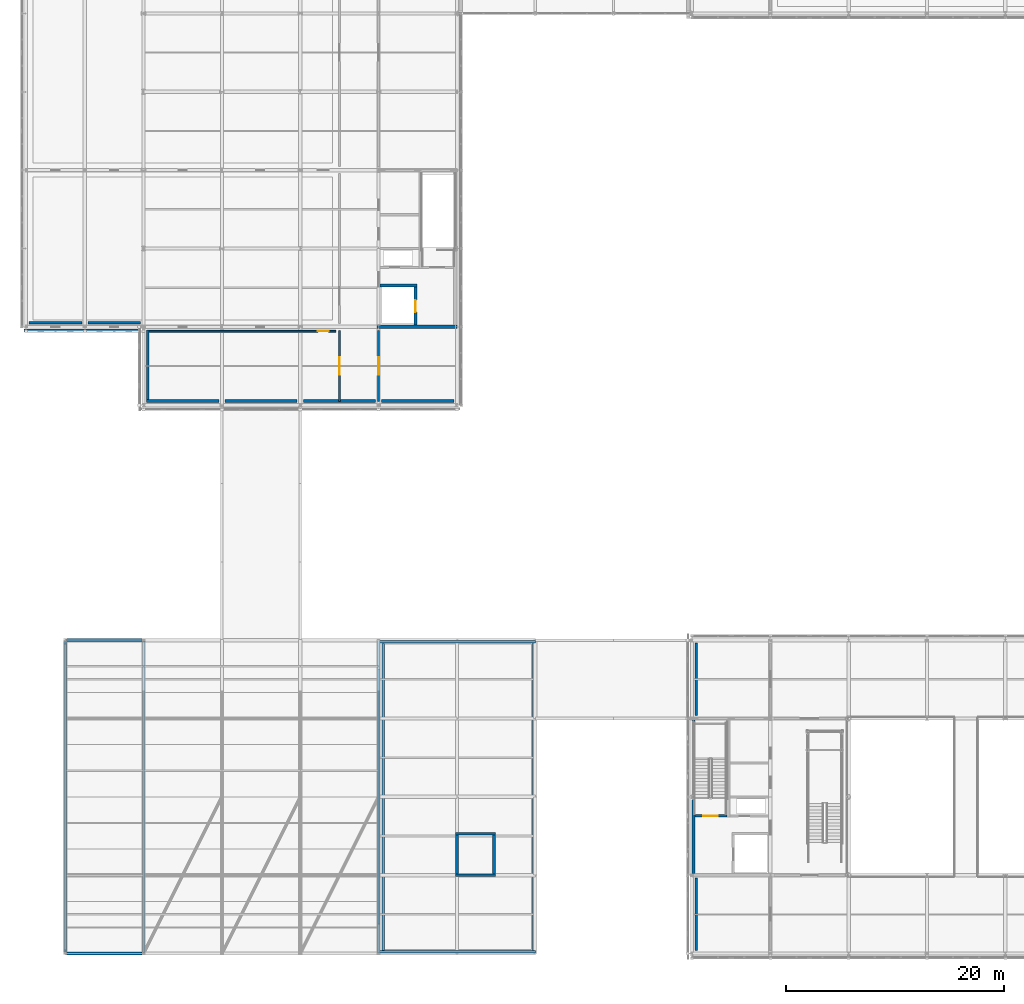
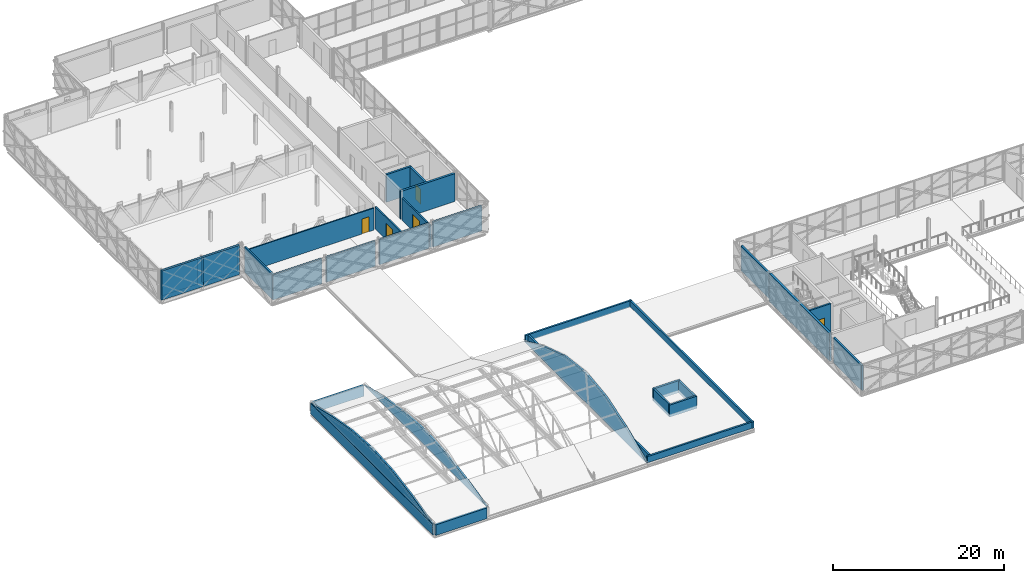
# One storey, part 85 of 103: 33 walls, 5 doors, 5 openings.
"""IFC4 building model written with IfcOpenShell, lengths in metres."""

import ifcopenshell
import ifcopenshell.guid

model = None  # the IFC model being written
_history = None  # IfcOwnerHistory: only IFC2X3 demands one
_inside = {}  # id of a spatial element -> (the spatial element, [elements in it])
_under = {}  # id of a project, library or spatial element -> (it, [spatial elements below it])
_declared = {}  # id of a project -> (the project, [libraries it declares])
_typed = {}  # id of a type object -> (the type object, [elements of that type])
_made_of = {}  # id of a material, layer set ... -> (it, [elements and type objects made of it])


def new_model(schema):
    """Start an empty IFC model of exactly this schema.

    Asked for "IFC4X3", IfcOpenShell would pick the latest addendum, in which some entities
    have other attributes; the version numbers below select the first issue.
    IFC2X3 requires an IfcOwnerHistory on every rooted entity: one is made here for all.
    """
    global model, _history
    if schema == "IFC4X3":
        model = ifcopenshell.file(schema_version=(4, 3, 0, 0))
    else:
        model = ifcopenshell.file(schema=schema)
    _inside.clear()
    _under.clear()
    _declared.clear()
    _typed.clear()
    _made_of.clear()
    _history = None
    if model.schema == "IFC2X3":
        org = make("IfcOrganization", Name="unknown")
        user = make(
            "IfcPersonAndOrganization",
            ThePerson=make("IfcPerson", FamilyName="unknown"),
            TheOrganization=org,
        )
        app = make(
            "IfcApplication",
            ApplicationDeveloper=org,
            Version="unknown",
            ApplicationFullName="unknown",
            ApplicationIdentifier="unknown",
        )
        _history = make(
            "IfcOwnerHistory",
            OwningUser=user,
            OwningApplication=app,
            ChangeAction="ADDED",
            CreationDate=0,
        )
    return model


def make(cls, **values):
    """One entity of the class cls with the attributes given. An attribute that is None is left unset."""
    return model.create_entity(
        cls, **{name: value for name, value in values.items() if value is not None}
    )


def rooted(cls, **values):
    """An entity with a GlobalId (a new one), such as an element, a storey or a relation."""
    return make(cls, GlobalId=ifcopenshell.guid.new(), OwnerHistory=_history, **values)


def si_unit(unit_type, name, prefix=None):
    """IfcSIUnit, for example si_unit("LENGTHUNIT", "METRE", prefix="MILLI")."""
    return make("IfcSIUnit", UnitType=unit_type, Prefix=prefix, Name=name)


def assignment(units):
    """IfcUnitAssignment: the units of a project."""
    return None if units is None else make("IfcUnitAssignment", Units=units)


def point(xyz):
    """IfcCartesianPoint."""
    return None if xyz is None else make("IfcCartesianPoint", Coordinates=xyz)


def direction(xyz):
    """IfcDirection."""
    return None if xyz is None else make("IfcDirection", DirectionRatios=xyz)


def frame(location, z_axis=None, x_axis=None):
    """IfcAxis2Placement3D, a coordinate frame: its origin and axes. An axis left out is left unset."""
    return make(
        "IfcAxis2Placement3D",
        Location=point(location),
        Axis=direction(z_axis),
        RefDirection=direction(x_axis),
    )


def frame_2d(location, x_axis=None):
    """IfcAxis2Placement2D, a coordinate frame in the plane: its origin and x axis."""
    return make(
        "IfcAxis2Placement2D", Location=point(location), RefDirection=direction(x_axis)
    )


def origin():
    """The frame at (0, 0, 0) with its axes left unset."""
    return frame((0.0, 0.0, 0.0))


def place(relative_to, where):
    """IfcLocalPlacement: puts the frame where relative to a parent placement (None: the world)."""
    return make(
        "IfcLocalPlacement", PlacementRelTo=relative_to, RelativePlacement=where
    )


def context(
    kind, dimensions, precision=None, world=None, true_north=None, identifier=None
):
    """IfcGeometricRepresentationContext, for example the 3D "Model" context."""
    return make(
        "IfcGeometricRepresentationContext",
        ContextIdentifier=identifier,
        ContextType=kind,
        CoordinateSpaceDimension=dimensions,
        Precision=precision,
        WorldCoordinateSystem=world,
        TrueNorth=true_north,
    )


def subcontext(parent, identifier, kind, view, scale=None):
    """IfcGeometricRepresentationSubContext, for example "Body" below "Model"."""
    return make(
        "IfcGeometricRepresentationSubContext",
        ContextIdentifier=identifier,
        ContextType=kind,
        ParentContext=parent,
        TargetScale=scale,
        TargetView=view,
    )


def project(units=None, contexts=None):
    """IfcProject with its units and contexts."""
    return rooted(
        "IfcProject",
        Name="project",
        RepresentationContexts=contexts,
        UnitsInContext=assignment(units),
    )


def spatial(cls, under=None, at=None, **own):
    """A site, building, storey or space (cls), placed at a placement, below another one or the project."""
    s = rooted(cls, ObjectPlacement=at, **own)
    if under is not None:
        _under.setdefault(under.id(), (under, []))[1].append(s)
    return s


def polyline(points):
    """IfcPolyline through the points."""
    return make("IfcPolyline", Points=[point(p) for p in points])


def profile(cls, at=None, kind="AREA", **sizes):
    """A parametric profile (cls). Its sizes go by their IFC names, for example OverallWidth=200.0."""
    return make(cls, ProfileType=kind, Position=at, **sizes)


def rectangle(**sizes):
    """IfcRectangleProfileDef."""
    return profile("IfcRectangleProfileDef", **sizes)


def outline(outer, holes=None, kind="AREA"):
    """IfcArbitraryClosedProfileDef: a profile drawn as a closed curve; with holes, ...WithVoids."""
    if holes is None:
        return make("IfcArbitraryClosedProfileDef", ProfileType=kind, OuterCurve=outer)
    return make(
        "IfcArbitraryProfileDefWithVoids",
        ProfileType=kind,
        OuterCurve=outer,
        InnerCurves=holes,
    )


def extrude(swept, where, along, depth):
    """IfcExtrudedAreaSolid: the profile swept, set in the frame where, extruded along a direction by depth."""
    return make(
        "IfcExtrudedAreaSolid",
        SweptArea=swept,
        Position=where,
        ExtrudedDirection=direction(along),
        Depth=depth,
    )


def shape(context_of_items, identifier, shape_type, items):
    """IfcShapeRepresentation: the items that make up one representation, for example the "Body"."""
    return make(
        "IfcShapeRepresentation",
        ContextOfItems=context_of_items,
        RepresentationIdentifier=identifier,
        RepresentationType=shape_type,
        Items=items,
    )


def material(Name=None, Category=None):
    """IfcMaterial."""
    return make("IfcMaterial", Name=Name, Category=Category)


def layer(
    of_material, thickness, ventilated=None, Name=None, Category=None, Priority=None
):
    """IfcMaterialLayer: one layer of a wall or slab, of a material (None: an air gap)."""
    return make(
        "IfcMaterialLayer",
        Material=of_material,
        LayerThickness=thickness,
        IsVentilated=ventilated,
        Name=Name,
        Category=Category,
        Priority=Priority,
    )


def layer_set(layers, Name=None):
    """IfcMaterialLayerSet."""
    return make("IfcMaterialLayerSet", MaterialLayers=layers, LayerSetName=Name)


def made_of(thing, what):
    """Note that an element or type object is made of a material, layer set ...; save() writes the relation."""
    if what is not None:
        _made_of.setdefault(what.id(), (what, []))[1].append(thing)
    return thing


def type_object(cls, material=None, **own):
    """A type object (cls), such as IfcWallType, which elements share."""
    return made_of(rooted(cls, **own), material)


def element(
    cls,
    number,
    at=None,
    inside=None,
    cuts=None,
    type_object=None,
    material=None,
    context=None,
    identifier="Body",
    shape_type=None,
    held_by="IfcProductDefinitionShape",
    body=None,
    shapes=None,
    **own,
):
    """One element of the class cls, such as IfcWall. Its Tag is "e" and its number.

    at: its placement. inside: the storey or other place that contains it. cuts: it is an
    opening in that element (IfcRelVoidsElement). A single representation is given by context,
    identifier, shape_type and body (its items); several are given by shapes. held_by: the class
    of the entity that holds the representations. save() writes the other relations.
    """
    e = rooted(cls, Tag="e%d" % number, ObjectPlacement=at, **own)
    if body is not None:
        shapes = [shape(context, identifier, shape_type, body)]
    if shapes is not None:
        e.Representation = make(held_by, Representations=shapes)
    if inside is not None:
        _inside.setdefault(inside.id(), (inside, []))[1].append(e)
    if cuts is not None:
        rooted(
            "IfcRelVoidsElement", RelatingBuildingElement=cuts, RelatedOpeningElement=e
        )
    if type_object is not None:
        _typed.setdefault(type_object.id(), (type_object, []))[1].append(e)
    return made_of(e, material)


def fill(opening, filler):
    """IfcRelFillsElement: the door or window that sits in an opening."""
    return rooted(
        "IfcRelFillsElement",
        RelatingOpeningElement=opening,
        RelatedBuildingElement=filler,
    )


def aggregate(whole, parts):
    """IfcRelAggregates: a whole, such as a stair, and the parts it consists of."""
    return rooted("IfcRelAggregates", RelatingObject=whole, RelatedObjects=parts)


def save(model, path):
    """Write the relations noted so far, then the file.

    IfcRelAggregates (storeys below a building ...), IfcRelContainedInSpatialStructure (elements
    in a storey), IfcRelDefinesByType, IfcRelAssociatesMaterial and IfcRelDeclares: one each for
    every whole, place, type object, material and project.
    """
    for whole, parts in _under.values():
        aggregate(whole, parts)
    for where, things in _inside.values():
        rooted(
            "IfcRelContainedInSpatialStructure",
            RelatedElements=things,
            RelatingStructure=where,
        )
    for kind, things in _typed.values():
        rooted("IfcRelDefinesByType", RelatedObjects=things, RelatingType=kind)
    for what, things in _made_of.values():
        rooted("IfcRelAssociatesMaterial", RelatedObjects=things, RelatingMaterial=what)
    for by, libraries in _declared.values():
        rooted("IfcRelDeclares", RelatingContext=by, RelatedDefinitions=libraries)
    model.write(path)


model = new_model("IFC4")

# Units and contexts
model_context = context("Model", 3, precision=1e-05, world=origin(), true_north=direction((0.0, 1.0)))
body_context = subcontext(model_context, "Body", "Model", "MODEL_VIEW")
ifc_project = project(units=[si_unit("LENGTHUNIT", "METRE"), si_unit("AREAUNIT", "SQUARE_METRE"), si_unit("VOLUMEUNIT", "CUBIC_METRE"), si_unit("PLANEANGLEUNIT", "RADIAN"), si_unit("MASSUNIT", "GRAM", prefix="KILO")], contexts=[model_context])

# Site, building, storey
site_placement = place(None, origin())
site = spatial("IfcSite", under=ifc_project, at=site_placement, CompositionType="ELEMENT")
building_placement = place(site_placement, origin())
building = spatial("IfcBuilding", under=site, at=building_placement, Name="Zlatovets Crest Museum", CompositionType="ELEMENT")
storey_placement = place(building_placement, frame((0.0, 0.0, 12.89990234375)))
storey = spatial("IfcBuildingStorey", under=building, at=storey_placement, Name="L03", CompositionType="ELEMENT", Elevation=12.89990234375)

# Walls
ifc_material_1 = material(Name="Concrete C35/45", Category="concrete")
ifc_layer_1 = layer(ifc_material_1, 0.300048828125)
ifc_layer_set_1 = layer_set([ifc_layer_1], Name="Concrete C35/45")
wall_type_1 = type_object("IfcWallType", Name="CoreWall_SW01", PredefinedType="SHEAR", material=ifc_layer_set_1)
wall_1_placement = place(storey_placement, frame((57.75, 7.35009765625, 0.0), z_axis=(0.0, 0.0, 1.0), x_axis=(0.0, 1.0, 0.0)))
element("IfcWall", 1, at=wall_1_placement, inside=storey, type_object=wall_type_1, Name="Core C2 L03 Perimeter Shear Wall", PredefinedType="SHEAR", context=body_context, shape_type="SweptSolid", body=[
    extrude(rectangle(XDim=14.099853515625, YDim=0.300048828125, at=frame_2d((7.0498046875, 0.0))), origin(), (0.0, 0.0, 1.0), 3.960205078125),
])
wall_2_placement = place(storey_placement, frame((28.64990234375, 57.60009765625, 0.0), z_axis=(0.0, 0.0, 1.0), x_axis=(1.0, 0.0, 0.0)))
element("IfcWall", 2, at=wall_2_placement, inside=storey, type_object=wall_type_1, Name="Core C4 L03 South Shear Wall", PredefinedType="SHEAR", context=body_context, shape_type="SweptSolid", body=[
    extrude(rectangle(XDim=7.35009765625, YDim=0.300048828125, at=frame_2d((3.675048828125, 0.0))), origin(), (0.0, 0.0, 1.0), 3.960205078125),
])

# Wall, opening, door
ifc_layer_2 = layer(ifc_material_1, 0.25)
ifc_layer_set_2 = layer_set([ifc_layer_2], Name="Concrete C35/45")
wall_type_2 = type_object("IfcWallType", Name="CoreWall_SW02", PredefinedType="SHEAR", material=ifc_layer_set_2)
wall_3_placement = place(storey_placement, frame((57.89990234375, 12.64990234375, 0.0), z_axis=(0.0, 0.0, 1.0), x_axis=(1.0, 0.0, 0.0)))
wall_3 = element("IfcWall", 3, at=wall_3_placement, inside=storey, type_object=wall_type_2, Name="Core C2 L03 Stairwell Fire Wall", PredefinedType="SHEAR", context=body_context, shape_type="SweptSolid", body=[
    extrude(rectangle(XDim=2.900146484375, YDim=0.219970703125, at=frame_2d((1.4501953125, 0.0))), origin(), (0.0, 0.0, 1.0), 3.960205078125),
])
opening_1_placement = place(wall_3_placement, frame((0.75, 0.0, 0.0)))
opening_1 = element("IfcOpeningElement", 4, at=opening_1_placement, cuts=wall_3, Name="Opening FD-01", PredefinedType="OPENING", context=body_context, shape_type="SweptSolid", body=[
    extrude(rectangle(XDim=1.300048828125, YDim=2.199951171875, at=frame_2d((0.64990234375, 1.10009765625))), frame((0.0, 0.1201171875, 0.0), z_axis=(0.0, -1.0, 0.0), x_axis=(1.0, 0.0, 0.0)), (0.0, 0.0, 1.0), 0.239990234375),
])
ifc_material_2 = material(Name="Smoke-sealed steel fire door", Category="steel")
door_type_1 = type_object("IfcDoorType", Name="IntDoor_FD-01", OperationType="NOTDEFINED", PredefinedType="DOOR", material=ifc_material_2)
door_1_placement = place(opening_1_placement, origin())
door_1 = element("IfcDoor", 5, at=door_1_placement, inside=storey, type_object=door_type_1, Name="SDOOR-ST2-L03 Stair ST2 L03 Fire Door", OperationType="SINGLE_SWING_LEFT", OverallHeight=2.199951171875, OverallWidth=1.300048828125, PredefinedType="DOOR", context=body_context, shape_type="SweptSolid", body=[
    extrude(rectangle(XDim=1.300048828125, YDim=2.199951171875, at=frame_2d((0.64990234375, 1.10009765625))), frame((0.0, 0.02490234375, 0.0), z_axis=(0.0, -1.0, 0.0), x_axis=(1.0, 0.0, 0.0)), (0.0, 0.0, 1.0), 0.050048828125),
])
fill(opening_1, door_1)

# Walls
wall_4_placement = place(storey_placement, frame((35.875, 7.199951171875, -0.219970703125), z_axis=(0.0, 0.0, 1.0), x_axis=(1.0, 0.0, 0.0)))
element("IfcWall", 6, at=wall_4_placement, inside=storey, type_object=wall_type_2, Name="Lift PL1 Overrun Wall S", PredefinedType="SHEAR", context=body_context, shape_type="SweptSolid", body=[
    extrude(rectangle(XDim=3.64990234375, YDim=0.25, at=frame_2d((1.824951171875, 0.0))), origin(), (0.0, 0.0, 1.0), 1.719970703125),
])
wall_5_placement = place(storey_placement, frame((39.39990234375, 7.324951171875, -0.219970703125), z_axis=(0.0, 0.0, 1.0), x_axis=(0.0, 1.0, 0.0)))
element("IfcWall", 7, at=wall_5_placement, inside=storey, type_object=wall_type_2, Name="Lift PL1 Overrun Wall E", PredefinedType="SHEAR", context=body_context, shape_type="SweptSolid", body=[
    extrude(rectangle(XDim=3.550048828125, YDim=0.25, at=frame_2d((1.77490234375, 0.0))), origin(), (0.0, 0.0, 1.0), 1.719970703125),
])
wall_6_placement = place(storey_placement, frame((39.52490234375, 11.0, -0.219970703125), z_axis=(0.0, 0.0, 1.0), x_axis=(-1.0, 0.0, 0.0)))
element("IfcWall", 8, at=wall_6_placement, inside=storey, type_object=wall_type_2, Name="Lift PL1 Overrun Wall N", PredefinedType="SHEAR", context=body_context, shape_type="SweptSolid", body=[
    extrude(rectangle(XDim=3.64990234375, YDim=0.25, at=frame_2d((1.824951171875, 0.0))), origin(), (0.0, 0.0, 1.0), 1.719970703125),
])
wall_7_placement = place(storey_placement, frame((36.0, 10.875, -0.219970703125), z_axis=(0.0, 0.0, 1.0), x_axis=(0.0, -1.0, 0.0)))
element("IfcWall", 9, at=wall_7_placement, inside=storey, type_object=wall_type_2, Name="Lift PL1 Overrun Wall W", PredefinedType="SHEAR", context=body_context, shape_type="SweptSolid", body=[
    extrude(rectangle(XDim=3.550048828125, YDim=0.25, at=frame_2d((1.77490234375, 0.0))), origin(), (0.0, 0.0, 1.0), 1.719970703125),
])

# Wall, opening, door
wall_8_placement = place(storey_placement, frame((32.199951171875, 57.75, 0.0), z_axis=(0.0, 0.0, 1.0), x_axis=(0.0, 1.0, 0.0)))
wall_8 = element("IfcWall", 10, at=wall_8_placement, inside=storey, type_object=wall_type_2, Name="Core C4 L03 Lift Shaft Wall", PredefinedType="SHEAR", context=body_context, shape_type="SweptSolid", body=[
    extrude(rectangle(XDim=3.52490234375, YDim=0.25, at=frame_2d((1.762451171875, 0.0))), origin(), (0.0, 0.0, 1.0), 3.960205078125),
])
opening_2_placement = place(wall_8_placement, frame((1.199951171875, 0.0, 0.0)))
opening_2 = element("IfcOpeningElement", 11, at=opening_2_placement, cuts=wall_8, Name="Opening LD-01", PredefinedType="OPENING", context=body_context, shape_type="SweptSolid", body=[
    extrude(rectangle(XDim=1.10009765625, YDim=2.14990234375, at=frame_2d((0.550048828125, 1.074951171875))), frame((0.0, 0.135009765625, 0.0), z_axis=(0.0, -1.0, 0.0), x_axis=(1.0, 0.0, 0.0)), (0.0, 0.0, 1.0), 0.27001953125),
])
ifc_material_3 = material(Name="Stainless-bronze sliding lift landing door")
door_type_2 = type_object("IfcDoorType", Name="IntDoor_LD-01", OperationType="SLIDING_TO_LEFT", PredefinedType="DOOR", material=ifc_material_3)
door_2_placement = place(opening_2_placement, origin())
door_2 = element("IfcDoor", 12, at=door_2_placement, inside=storey, type_object=door_type_2, Name="LDOOR-PL2-L03 Lift PL2 L03 Sliding Landing Door", OperationType="SLIDING_TO_LEFT", OverallHeight=2.14990234375, OverallWidth=1.10009765625, PredefinedType="DOOR", context=body_context, shape_type="SweptSolid", body=[
    extrude(rectangle(XDim=1.10009765625, YDim=2.14990234375, at=frame_2d((0.550048828125, 1.074951171875))), frame((0.0, 0.02490234375, 0.0), z_axis=(0.0, -1.0, 0.0), x_axis=(1.0, 0.0, 0.0)), (0.0, 0.0, 1.0), 0.050048828125),
])
fill(opening_2, door_2)

# Walls
wall_9_placement = place(storey_placement, frame((28.949951171875, 61.39990234375, 0.0), z_axis=(0.0, 0.0, 1.0), x_axis=(1.0, 0.0, 0.0)))
element("IfcWall", 13, at=wall_9_placement, inside=storey, type_object=wall_type_2, Name="Core C4 L03 Lift Shaft North Shear Wall", PredefinedType="SHEAR", context=body_context, shape_type="SweptSolid", body=[
    extrude(rectangle(XDim=3.375, YDim=0.25, at=frame_2d((1.6875, 0.0))), origin(), (0.0, 0.0, 1.0), 3.960205078125),
])
ifc_material_4 = material(Name="Insulated gallery conservation liner wall", Category="concrete")
ifc_layer_3 = layer(ifc_material_4, 0.300048828125)
ifc_layer_set_3 = layer_set([ifc_layer_3], Name="Insulated gallery conservation liner wall")
wall_type_3 = type_object("IfcWallType", Name="ExtWall_EW-02", PredefinedType="STANDARD", material=ifc_layer_set_3)
wall_10_placement = place(storey_placement, frame((57.97998046875, 28.52001953125, 0.0), z_axis=(0.0, 0.0, 1.0), x_axis=(0.0, -1.0, 0.0)))
element("IfcWall", 14, at=wall_10_placement, inside=storey, type_object=wall_type_3, Name="V2 L03 Interior Conservation Gallery Liner Wall", PredefinedType="STANDARD", context=body_context, shape_type="SweptSolid", body=[
    extrude(rectangle(XDim=6.64013671875, YDim=0.239990234375, at=frame_2d((3.320068359375, 0.0))), origin(), (0.0, 0.0, 1.0), 3.56005859375),
])
wall_11_placement = place(storey_placement, frame((57.97998046875, 6.919921875, 0.0), z_axis=(0.0, 0.0, 1.0), x_axis=(0.0, -1.0, 0.0)))
element("IfcWall", 15, at=wall_11_placement, inside=storey, type_object=wall_type_3, Name="V2 L03 Interior Conservation Gallery Liner Wall", PredefinedType="STANDARD", context=body_context, shape_type="SweptSolid", body=[
    extrude(rectangle(XDim=6.639892578125, YDim=0.239990234375, at=frame_2d((3.31982421875, 0.0))), origin(), (0.0, 0.0, 1.0), 3.56005859375),
])
for number, where, z_axis, x_axis, name in (
    (16, (7.47998046875, 50.780029296875, 0.0), (0.0, 0.0, 1.0), (1.0, 0.0, 0.0), "V4 L03 Interior Conservation Gallery Liner Wall"),
    (17, (14.679931640625, 50.780029296875, 0.0), (0.0, 0.0, 1.0), (1.0, 0.0, 0.0), "V4 L03 Interior Conservation Gallery Liner Wall"),
    (18, (21.8798828125, 50.780029296875, 0.0), (0.0, 0.0, 1.0), (1.0, 0.0, 0.0), "V4 L03 Interior Conservation Gallery Liner Wall"),
):
    element("IfcWall", number, at=place(storey_placement, frame(where, z_axis=z_axis, x_axis=x_axis)), inside=storey, type_object=wall_type_3, Name=name, PredefinedType="STANDARD", context=body_context, shape_type="SweptSolid", body=[
        extrude(rectangle(XDim=6.64013671875, YDim=0.239990234375, at=frame_2d((3.320068359375, 0.0))), origin(), (0.0, 0.0, 1.0), 3.580078125),
    ])
wall_12_placement = place(storey_placement, frame((29.080078125, 50.780029296875, 0.0), z_axis=(0.0, 0.0, 1.0), x_axis=(1.0, 0.0, 0.0)))
element("IfcWall", 19, at=wall_12_placement, inside=storey, type_object=wall_type_3, Name="V4 L03 Interior Conservation Gallery Liner Wall", PredefinedType="STANDARD", context=body_context, shape_type="SweptSolid", body=[
    extrude(rectangle(XDim=6.639892578125, YDim=0.239990234375, at=frame_2d((3.31982421875, 0.0))), origin(), (0.0, 0.0, 1.0), 3.580078125),
])
wall_13_placement = place(storey_placement, frame((-3.320068359375, 57.97998046875, 0.0), z_axis=(0.0, 0.0, 1.0), x_axis=(1.0, 0.0, 0.0)))
element("IfcWall", 20, at=wall_13_placement, inside=storey, type_object=wall_type_3, Name="V4 L03 Interior Conservation Gallery Liner Wall", PredefinedType="STANDARD", context=body_context, shape_type="SweptSolid", body=[
    extrude(rectangle(XDim=4.840087890625, YDim=0.239990234375, at=frame_2d((2.419921875, 0.0))), origin(), (0.0, 0.0, 1.0), 3.580078125),
])
wall_14_placement = place(storey_placement, frame((2.080078125, 57.97998046875, 0.0), z_axis=(0.0, 0.0, 1.0), x_axis=(1.0, 0.0, 0.0)))
element("IfcWall", 21, at=wall_14_placement, inside=storey, type_object=wall_type_3, Name="V4 L03 Interior Conservation Gallery Liner Wall", PredefinedType="STANDARD", context=body_context, shape_type="SweptSolid", body=[
    extrude(rectangle(XDim=4.83984375, YDim=0.239990234375, at=frame_2d((2.419921875, 0.0))), origin(), (0.0, 0.0, 1.0), 3.580078125),
])
wall_15_placement = place(storey_placement, frame((7.580078125, 57.320068359375, 0.0), z_axis=(0.0, 0.0, 1.0), x_axis=(0.0, -1.0, 0.0)))
element("IfcWall", 22, at=wall_15_placement, inside=storey, type_object=wall_type_3, Name="V4 L03 Interior Conservation Gallery Liner Wall", PredefinedType="STANDARD", context=body_context, shape_type="SweptSolid", body=[
    extrude(rectangle(XDim=6.64013671875, YDim=0.239990234375, at=frame_2d((3.320068359375, 0.0))), origin(), (0.0, 0.0, 1.0), 3.580078125),
])
ifc_material_5 = material(Name="Polychrome majolica ceramic spandrel wall", Category="masonry")
ifc_layer_4 = layer(ifc_material_5, 0.280029296875)
ifc_layer_set_4 = layer_set([ifc_layer_4], Name="Polychrome majolica ceramic spandrel wall")
wall_type_4 = type_object("IfcWallType", Name="ExtWall_EW-03", PredefinedType="STANDARD", material=ifc_layer_set_4)
wall_16_placement = place(storey_placement, frame((-3.800048828125, 57.260009765625, 0.0), z_axis=(0.0, 0.0, 1.0), x_axis=(1.0, 0.0, 0.0)))
element("IfcWall", 23, at=wall_16_placement, inside=storey, type_object=wall_type_4, Name="V4 L03 Transfer Truss Majolica Spandrel Wall", PredefinedType="STANDARD", context=body_context, shape_type="SweptSolid", body=[
    extrude(rectangle(XDim=5.60009765625, YDim=0.280029296875, at=frame_2d((2.800048828125, 0.0))), origin(), (0.0, 0.0, 1.0), 4.2001953125),
])
wall_17_placement = place(storey_placement, frame((1.800048828125, 57.260009765625, 0.0), z_axis=(0.0, 0.0, 1.0), x_axis=(1.0, 0.0, 0.0)))
element("IfcWall", 24, at=wall_17_placement, inside=storey, type_object=wall_type_4, Name="V4 L03 Transfer Truss Majolica Spandrel Wall", PredefinedType="STANDARD", context=body_context, shape_type="SweptSolid", body=[
    extrude(rectangle(XDim=4.919921875, YDim=0.280029296875, at=frame_2d((2.4599609375, 0.0))), origin(), (0.0, 0.0, 1.0), 4.2001953125),
])
for number, where, z_axis, x_axis, name in (
    (25, (0.131103515625, 0.0, -0.219970703125), (0.0, 0.0, 1.0), (1.0, 0.0, 0.0), "Auditorium Stage Fly-Loft Wall S"),
    (26, (7.069091796875, 28.800048828125, -0.219970703125), (0.0, 0.0, 1.0), (-1.0, 0.0, 0.0), "Auditorium Stage Fly-Loft Wall N"),
):
    element("IfcWall", number, at=place(storey_placement, frame(where, z_axis=z_axis, x_axis=x_axis)), inside=storey, type_object=wall_type_4, Name=name, PredefinedType="STANDARD", context=body_context, shape_type="SweptSolid", body=[
        extrude(rectangle(XDim=6.93798828125, YDim=0.280029296875, at=frame_2d((3.468994140625, 0.0))), origin(), (0.0, 0.0, 1.0), 1.52001953125),
    ])
wall_18_placement = place(storey_placement, frame((0.0, 28.6689453125, -0.219970703125), z_axis=(0.0, 0.0, 1.0), x_axis=(0.0, -1.0, 0.0)))
element("IfcWall", 27, at=wall_18_placement, inside=storey, type_object=wall_type_4, Name="Auditorium Stage Fly-Loft Wall W", PredefinedType="STANDARD", context=body_context, shape_type="SweptSolid", body=[
    extrude(rectangle(XDim=28.537841796875, YDim=0.280029296875, at=frame_2d((14.26904296875, 0.0))), origin(), (0.0, 0.0, 1.0), 1.52001953125),
])
ifc_material_6 = material(Name="Copper-zinc insulated clerestory and vault tympanum wall", Category="steel")
ifc_layer_5 = layer(ifc_material_6, 0.260009765625)
ifc_layer_set_5 = layer_set([ifc_layer_5], Name="Copper-zinc insulated clerestory and vault tympanum wall")
wall_type_5 = type_object("IfcWallType", Name="ExtWall_EW-04", PredefinedType="STANDARD", material=ifc_layer_set_5)
wall_19_placement = place(storey_placement, frame((28.800048828125, 0.0, 0.02001953125), z_axis=(0.0, 0.0, 1.0), x_axis=(0.0, 1.0, 0.0)))
element("IfcWall", 28, at=wall_19_placement, inside=storey, type_object=wall_type_5, Name="V3AUD-E Art Nouveau Arched Vault Tympanum Wall", PredefinedType="STANDARD", context=body_context, shape_type="SweptSolid", body=[
    extrude(outline(polyline([(0.0, 0.0), (28.800048828125, 0.0), (28.800048828125, -0.02001953125), (24.0, 2.10498046875), (19.199951171875, 3.66064453125), (14.39990234375, 4.22998046875), (9.60009765625, 3.66064453125), (4.800048828125, 2.10498046875), (0.0, -0.02001953125), (0.0, 0.0)])), frame((0.0, 0.1201171875, 0.0), z_axis=(0.0, -1.0, 0.0), x_axis=(1.0, 0.0, 0.0)), (0.0, 0.0, 1.0), 0.239990234375),
])
wall_20_placement = place(storey_placement, frame((0.0, 0.25, 1.320068359375), z_axis=(0.0, 0.0, 1.0), x_axis=(0.0, 1.0, 0.0)))
element("IfcWall", 29, at=wall_20_placement, inside=storey, type_object=wall_type_5, Name="V3STG-W Art Nouveau Arched Vault Tympanum Wall", PredefinedType="STANDARD", context=body_context, shape_type="SweptSolid", body=[
    extrude(outline(polyline([(0.0, 0.0), (28.300048828125, 0.0), (28.300048828125, -0.02001953125), (23.583251953125, 1.080078125), (18.86669921875, 1.88525390625), (14.14990234375, 2.179931640625), (9.433349609375, 1.88525390625), (4.716796875, 1.080078125), (0.0, -0.02001953125), (0.0, 0.0)])), frame((0.0, 0.1201171875, 0.0), z_axis=(0.0, -1.0, 0.0), x_axis=(1.0, 0.0, 0.0)), (0.0, 0.0, 1.0), 0.239990234375),
])
wall_21_placement = place(storey_placement, frame((7.199951171875, 0.0, 1.320068359375), z_axis=(0.0, 0.0, 1.0), x_axis=(0.0, 1.0, 0.0)))
element("IfcWall", 30, at=wall_21_placement, inside=storey, type_object=wall_type_5, Name="V3STG-E Art Nouveau Arched Vault Tympanum Wall", PredefinedType="STANDARD", context=body_context, shape_type="SweptSolid", body=[
    extrude(outline(polyline([(0.0, 0.0), (28.800048828125, 0.0), (28.800048828125, -0.02001953125), (24.0, 1.080078125), (19.199951171875, 1.88525390625), (14.39990234375, 2.179931640625), (9.60009765625, 1.88525390625), (4.800048828125, 1.080078125), (0.0, -0.02001953125), (0.0, 0.0)])), frame((0.0, 0.1201171875, 0.0), z_axis=(0.0, -1.0, 0.0), x_axis=(1.0, 0.0, 0.0)), (0.0, 0.0, 1.0), 0.239990234375),
])
ifc_material_7 = material(Name="Concrete C30/37 with bronze coping", Category="concrete")
ifc_layer_6 = layer(ifc_material_7, 0.239990234375)
ifc_layer_set_6 = layer_set([ifc_layer_6], Name="Concrete C30/37 with bronze coping")
wall_type_6 = type_object("IfcWallType", Name="ExtWall_PW-01", PredefinedType="PARAPET", material=ifc_layer_set_6)
wall_22_placement = place(storey_placement, frame((28.800048828125, 0.14990234375, 0.0), z_axis=(0.0, 0.0, 1.0), x_axis=(1.0, 0.0, 0.0)))
element("IfcWall", 31, at=wall_22_placement, inside=storey, type_object=wall_type_6, Name="V3E L03 Roof Parapet Wall PW-01", PredefinedType="PARAPET", context=body_context, shape_type="SweptSolid", body=[
    extrude(rectangle(XDim=14.39990234375, YDim=0.239990234375, at=frame_2d((7.199951171875, 0.0))), origin(), (0.0, 0.0, 1.0), 0.900146484375),
])
wall_23_placement = place(storey_placement, frame((43.050048828125, 0.0, 0.0), z_axis=(0.0, 0.0, 1.0), x_axis=(0.0, 1.0, 0.0)))
element("IfcWall", 32, at=wall_23_placement, inside=storey, type_object=wall_type_6, Name="V3E L03 Roof Parapet Wall PW-01", PredefinedType="PARAPET", context=body_context, shape_type="SweptSolid", body=[
    extrude(rectangle(XDim=28.800048828125, YDim=0.239990234375, at=frame_2d((14.39990234375, 0.0))), origin(), (0.0, 0.0, 1.0), 0.900146484375),
])
wall_24_placement = place(storey_placement, frame((43.199951171875, 28.64990234375, 0.0), z_axis=(0.0, 0.0, 1.0), x_axis=(-1.0, 0.0, 0.0)))
element("IfcWall", 33, at=wall_24_placement, inside=storey, type_object=wall_type_6, Name="V3E L03 Roof Parapet Wall PW-01", PredefinedType="PARAPET", context=body_context, shape_type="SweptSolid", body=[
    extrude(rectangle(XDim=14.39990234375, YDim=0.239990234375, at=frame_2d((7.199951171875, 0.0))), origin(), (0.0, 0.0, 1.0), 0.900146484375),
])
wall_25_placement = place(storey_placement, frame((29.219970703125, 28.5, 0.0), z_axis=(0.0, 0.0, 1.0), x_axis=(0.0, -1.0, 0.0)))
element("IfcWall", 34, at=wall_25_placement, inside=storey, type_object=wall_type_6, Name="V3E L03 Roof Parapet Wall PW-01", PredefinedType="PARAPET", context=body_context, shape_type="SweptSolid", body=[
    extrude(rectangle(XDim=28.199951171875, YDim=0.239990234375, at=frame_2d((14.10009765625, 0.0))), origin(), (0.0, 0.0, 1.0), 0.900146484375),
])

# Wall, opening, door
ifc_material_8 = material(Name="Gypsum-encased fire compartment partition")
ifc_layer_7 = layer(ifc_material_8, 0.199951171875)
ifc_layer_set_7 = layer_set([ifc_layer_7], Name="Gypsum-encased fire compartment partition")
wall_type_7 = type_object("IfcWallType", Name="PartWall_PT-01", PredefinedType="PARTITIONING", material=ifc_layer_set_7)
wall_26_placement = place(storey_placement, frame((25.199951171875, 50.719970703125, 0.0), z_axis=(0.0, 0.0, 1.0), x_axis=(0.0, 1.0, 0.0)))
wall_26 = element("IfcWall", 35, at=wall_26_placement, inside=storey, type_object=wall_type_7, Name="V4 L03 Interior Partition PT-01", PredefinedType="PARTITIONING", context=body_context, shape_type="SweptSolid", body=[
    extrude(rectangle(XDim=6.56005859375, YDim=0.199951171875, at=frame_2d((3.280029296875, 0.0))), origin(), (0.0, 0.0, 1.0), 3.150146484375),
])
opening_3_placement = place(wall_26_placement, frame((2.47998046875, 0.0, 0.0)))
opening_3 = element("IfcOpeningElement", 36, at=opening_3_placement, cuts=wall_26, Name="Opening ID-04", PredefinedType="OPENING", context=body_context, shape_type="SweptSolid", body=[
    extrude(rectangle(XDim=1.60009765625, YDim=2.35009765625, at=frame_2d((0.800048828125, 1.175048828125))), frame((0.0, 0.10986328125, 0.0), z_axis=(0.0, -1.0, 0.0), x_axis=(1.0, 0.0, 0.0)), (0.0, 0.0, 1.0), 0.219970703125),
])
ifc_material_9 = material(Name="Gallery salon double portal door")
door_type_3 = type_object("IfcDoorType", Name="IntDoor_ID-04", OperationType="DOUBLE_DOOR_SINGLE_SWING", PredefinedType="DOOR", material=ifc_material_9)
door_3_placement = place(opening_3_placement, origin())
door_3 = element("IfcDoor", 37, at=door_3_placement, inside=storey, type_object=door_type_3, Name="IDOOR-V4-L03-0199 Cantilever Level Corridor to Contemporary Balkan Sculpture Salon Door", OperationType="DOUBLE_DOOR_SINGLE_SWING", OverallHeight=2.35009765625, OverallWidth=1.60009765625, PredefinedType="DOOR", context=body_context, shape_type="SweptSolid", body=[
    extrude(rectangle(XDim=1.60009765625, YDim=2.35009765625, at=frame_2d((0.800048828125, 1.175048828125))), frame((0.0, 0.02490234375, 0.0), z_axis=(0.0, -1.0, 0.0), x_axis=(1.0, 0.0, 0.0)), (0.0, 0.0, 1.0), 0.050048828125),
])
fill(opening_3, door_3)

wall_27_placement = place(storey_placement, frame((28.800048828125, 50.719970703125, 0.0), z_axis=(0.0, 0.0, 1.0), x_axis=(0.0, 1.0, 0.0)))
wall_27 = element("IfcWall", 38, at=wall_27_placement, inside=storey, type_object=wall_type_7, Name="V4 L03 Interior Partition PT-01", PredefinedType="PARTITIONING", context=body_context, shape_type="SweptSolid", body=[
    extrude(rectangle(XDim=6.56005859375, YDim=0.199951171875, at=frame_2d((3.280029296875, 0.0))), origin(), (0.0, 0.0, 1.0), 3.150146484375),
])
opening_4_placement = place(wall_27_placement, frame((2.47998046875, 0.0, 0.0)))
opening_4 = element("IfcOpeningElement", 39, at=opening_4_placement, cuts=wall_27, Name="Opening ID-04", PredefinedType="OPENING", context=body_context, shape_type="SweptSolid", body=[
    extrude(rectangle(XDim=1.60009765625, YDim=2.35009765625, at=frame_2d((0.800048828125, 1.175048828125))), frame((0.0, 0.10986328125, 0.0), z_axis=(0.0, -1.0, 0.0), x_axis=(1.0, 0.0, 0.0)), (0.0, 0.0, 1.0), 0.219970703125),
])
door_4_placement = place(opening_4_placement, origin())
door_4 = element("IfcDoor", 40, at=door_4_placement, inside=storey, type_object=door_type_3, Name="IDOOR-V4-L03-0202 Cantilever Level Corridor to South Garden Overlook Foyer Door", OperationType="DOUBLE_DOOR_SINGLE_SWING", OverallHeight=2.35009765625, OverallWidth=1.60009765625, PredefinedType="DOOR", context=body_context, shape_type="SweptSolid", body=[
    extrude(rectangle(XDim=1.60009765625, YDim=2.35009765625, at=frame_2d((0.800048828125, 1.175048828125))), frame((0.0, 0.02490234375, 0.0), z_axis=(0.0, -1.0, 0.0), x_axis=(1.0, 0.0, 0.0)), (0.0, 0.0, 1.0), 0.050048828125),
])
fill(opening_4, door_4)

ifc_material_10 = material(Name="Acoustic museum gallery stud partition")
ifc_layer_8 = layer(ifc_material_10, 0.159912109375)
ifc_layer_set_8 = layer_set([ifc_layer_8], Name="Acoustic museum gallery stud partition")
wall_type_8 = type_object("IfcWallType", Name="PartWall_PT-02", PredefinedType="PARTITIONING", material=ifc_layer_set_8)
wall_28_placement = place(storey_placement, frame((7.52001953125, 57.199951171875, 0.0), z_axis=(0.0, 0.0, 1.0), x_axis=(1.0, 0.0, 0.0)))
wall_28 = element("IfcWall", 41, at=wall_28_placement, inside=storey, type_object=wall_type_8, Name="V4 L03 Interior Partition PT-02", PredefinedType="PARTITIONING", context=body_context, shape_type="SweptSolid", body=[
    extrude(rectangle(XDim=17.35986328125, YDim=0.159912109375, at=frame_2d((8.679931640625, 0.0))), origin(), (0.0, 0.0, 1.0), 3.150146484375),
])
opening_5_placement = place(wall_28_placement, frame((15.679931640625, 0.0, 0.0)))
opening_5 = element("IfcOpeningElement", 42, at=opening_5_placement, cuts=wall_28, Name="Opening ID-01", PredefinedType="OPENING", context=body_context, shape_type="SweptSolid", body=[
    extrude(rectangle(XDim=1.0, YDim=2.14990234375, at=frame_2d((0.5, 1.074951171875))), frame((0.0, 0.08984375, 0.0), z_axis=(0.0, -1.0, 0.0), x_axis=(1.0, 0.0, 0.0)), (0.0, 0.0, 1.0), 0.179931640625),
])
ifc_material_11 = material(Name="Solid oak museum room door")
door_type_4 = type_object("IfcDoorType", Name="IntDoor_ID-01", OperationType="NOTDEFINED", PredefinedType="DOOR", material=ifc_material_11)
door_5_placement = place(opening_5_placement, origin())
door_5 = element("IfcDoor", 43, at=door_5_placement, inside=storey, type_object=door_type_4, Name="IDOOR-V4-L03-0205 Cantilevered Panoramic Gallery to Contemporary Balkan Sculpture Salon Door", OperationType="SINGLE_SWING_RIGHT", OverallHeight=2.14990234375, OverallWidth=1.0, PredefinedType="DOOR", context=body_context, shape_type="SweptSolid", body=[
    extrude(rectangle(XDim=1.0, YDim=2.14990234375, at=frame_2d((0.5, 1.074951171875))), frame((0.0, 0.02490234375, 0.0), z_axis=(0.0, -1.0, 0.0), x_axis=(1.0, 0.0, 0.0)), (0.0, 0.0, 1.0), 0.050048828125),
])
fill(opening_5, door_5)

save(model, "model.ifc")
